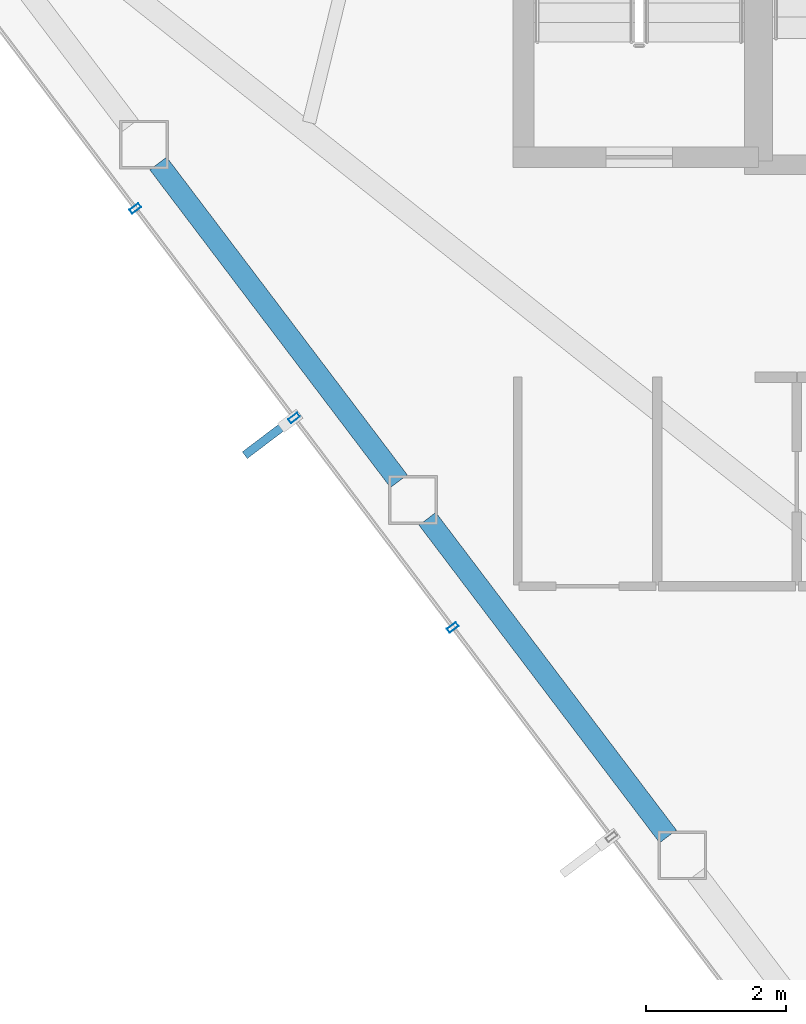
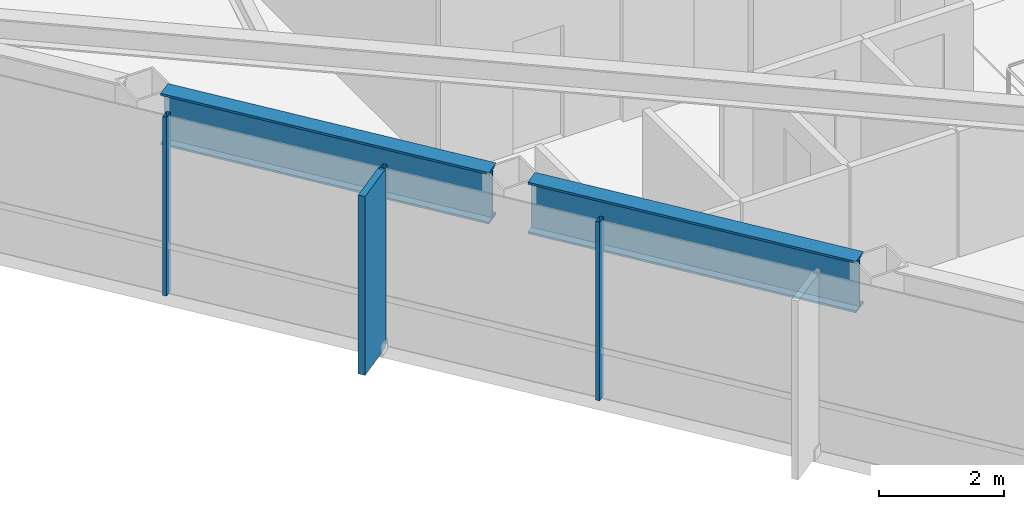
# One storey, part 4 of 27: 4 members, 2 beams, 1 element without a shape of its own.
"""IFC4 building model written with IfcOpenShell, lengths in metres."""

from ifc_helpers import new_model, si_unit, direction, frame, origin, origin_2d, place, context, subcontext, project, spatial, rectangle, hollow_rectangle, i_section, extrude, material, layer, layer_set, material_profile, profile_set, type_object, element, aggregate, save


model = new_model("IFC4")

# Units and contexts
model_context = context("Model", 3, precision=1e-05, world=origin(), true_north=direction((0.0, 1.0)))
body_context = subcontext(model_context, "Body", "Model", "MODEL_VIEW")
ifc_project = project(units=[si_unit("LENGTHUNIT", "METRE"), si_unit("AREAUNIT", "SQUARE_METRE"), si_unit("VOLUMEUNIT", "CUBIC_METRE"), si_unit("PLANEANGLEUNIT", "RADIAN"), si_unit("MASSUNIT", "GRAM", prefix="KILO")], contexts=[model_context])

# Site, building, storey
site_placement = place(None, origin())
site = spatial("IfcSite", under=ifc_project, at=site_placement, CompositionType="ELEMENT")
building_placement = place(site_placement, origin())
building = spatial("IfcBuilding", under=site, at=building_placement, Name="Zarrinselat Tower", CompositionType="ELEMENT")
storey_placement = place(building_placement, frame((0.0, 0.0, 179.52001953125)))
storey = spatial("IfcBuildingStorey", under=building, at=storey_placement, Name="L44", CompositionType="ELEMENT", Elevation=179.52001953125)

# Beams
ifc_material_1 = material(Name="Steel S460M", Category="steel")
ifc_material_profile_1 = material_profile(ifc_material_1, i_section(OverallWidth=0.302001953125, OverallDepth=1.008056640625, WebThickness=0.02099609375, FlangeThickness=0.0400390625, at=origin_2d()), Name="HEM 1000")
ifc_profile_set_1 = profile_set([ifc_material_profile_1], Name="Steel S460M")
beam_type = type_object("IfcBeamType", Name="BM-HEM1000", PredefinedType="BEAM", material=ifc_profile_set_1)
for number, where, z_axis, x_axis, name in (
    (1, (19.9970703125, 33.210693359375, 2.99609375), (0.603850281266, -0.797097759259, 0.0), (0.797097759259, 0.603850281266, 0.0), "L44 Perimeter Spandrel Girder SP07"),
    (2, (23.854248046875, 28.119140625, 2.99609375), (0.603850281266, -0.797097759259, 0.0), (0.797097759259, 0.603850281266, 0.0), "L44 Perimeter Spandrel Girder SP08"),
):
    element("IfcBeam", number, at=place(storey_placement, frame(where, z_axis=z_axis, x_axis=x_axis)), inside=storey, type_object=beam_type, Name=name, PredefinedType="BEAM", context=body_context, shape_type="SweptSolid", body=[
        extrude(i_section(OverallWidth=0.302001953125, OverallDepth=1.008056640625, WebThickness=0.02099609375, FlangeThickness=0.0400390625, at=origin_2d()), origin(), (0.0, 0.0, 1.0), 5.711669921875),
    ])

# Curtain wall, members
ifc_material_2 = material(Name="Extruded Aluminium Alloy EN AW-6063 T6", Category="aluminium")
ifc_layer = layer(ifc_material_2, 0.175048828125)
ifc_layer_set = layer_set([ifc_layer], Name="Extruded Aluminium Alloy EN AW-6063 T6")
curtain_wall_type = type_object("IfcCurtainWallType", Name="CWS-HTL", PredefinedType="NOTDEFINED", material=ifc_layer_set)
curtain_wall_placement = place(storey_placement, origin())
curtain_wall = element("IfcCurtainWall", 3, at=curtain_wall_placement, inside=storey, type_object=curtain_wall_type, Name="L44 Unitised Curtain Wall CW-L44-E03", PredefinedType="NOTDEFINED")
ifc_material_3 = material(Name="Extruded Aluminium Alloy EN AW-6063 T6", Category="aluminium")
ifc_material_profile_2 = material_profile(ifc_material_3, hollow_rectangle(XDim=0.070068359375, YDim=0.159912109375, WallThickness=0.00390625, at=origin_2d()), Name="RHS 160x70x4")
ifc_profile_set_2 = profile_set([ifc_material_profile_2], Name="Extruded Aluminium Alloy EN AW-6063 T6")
member_type_1 = type_object("IfcMemberType", Name="MEM-CW-MUL2", PredefinedType="MULLION", material=ifc_profile_set_2)
member_1_placement = place(storey_placement, frame((19.669189453125, 32.56689453125, 0.0), z_axis=(0.0, 0.0, 1.0), x_axis=(0.603857322892, -0.797092424748, 0.0)))
member_1 = element("IfcMember", 4, at=member_1_placement, type_object=member_type_1, Name="CW-L44-E03 Mullion 2", PredefinedType="MULLION", context=body_context, shape_type="SweptSolid", body=[
    extrude(hollow_rectangle(XDim=0.070068359375, YDim=0.159912109375, WallThickness=0.00390625, at=origin_2d()), origin(), (0.0, 0.0, 1.0), 3.5),
])
member_2_placement = place(storey_placement, frame((21.943603515625, 29.564697265625, 0.0), z_axis=(0.0, 0.0, 1.0), x_axis=(0.603857322892, -0.797092424748, 0.0)))
member_2 = element("IfcMember", 5, at=member_2_placement, type_object=member_type_1, Name="CW-L44-E03 Mullion 3", PredefinedType="MULLION", context=body_context, shape_type="SweptSolid", body=[
    extrude(hollow_rectangle(XDim=0.070068359375, YDim=0.159912109375, WallThickness=0.00390625, at=origin_2d()), origin(), (0.0, 0.0, 1.0), 3.5),
])
member_3_placement = place(storey_placement, frame((24.218017578125, 26.562255859375, 0.0), z_axis=(0.0, 0.0, 1.0), x_axis=(0.603857322892, -0.797092424748, 0.0)))
member_3 = element("IfcMember", 6, at=member_3_placement, type_object=member_type_1, Name="CW-L44-E03 Mullion 4", PredefinedType="MULLION", context=body_context, shape_type="SweptSolid", body=[
    extrude(hollow_rectangle(XDim=0.070068359375, YDim=0.159912109375, WallThickness=0.00390625, at=origin_2d()), origin(), (0.0, 0.0, 1.0), 3.5),
])
ifc_material_4 = material(Name="Honed Cream Travertine Stone", Category="masonry")
ifc_material_profile_3 = material_profile(ifc_material_4, rectangle(XDim=0.1201171875, YDim=0.85009765625, at=origin_2d()), Name="FIN 850x120")
ifc_profile_set_3 = profile_set([ifc_material_profile_3], Name="Honed Cream Travertine Stone")
member_type_2 = type_object("IfcMemberType", Name="MEM-STONE-FIN", PredefinedType="USERDEFINED", material=ifc_profile_set_3)
member_4_placement = place(storey_placement, frame((21.576904296875, 29.286865234375, 0.0), z_axis=(0.0, 0.0, 1.0), x_axis=(-0.603857322892, 0.797092424748, 0.0)))
member_4 = element("IfcMember", 7, at=member_4_placement, type_object=member_type_2, Name="L44 Stone Shading Fin CW-L44-E03-03", ObjectType="FIN", PredefinedType="USERDEFINED", context=body_context, shape_type="SweptSolid", body=[
    extrude(rectangle(XDim=0.1201171875, YDim=0.85009765625, at=origin_2d()), origin(), (0.0, 0.0, 1.0), 3.5),
])
aggregate(curtain_wall, [member_1, member_2, member_4, member_3])

save(model, "model.ifc")
